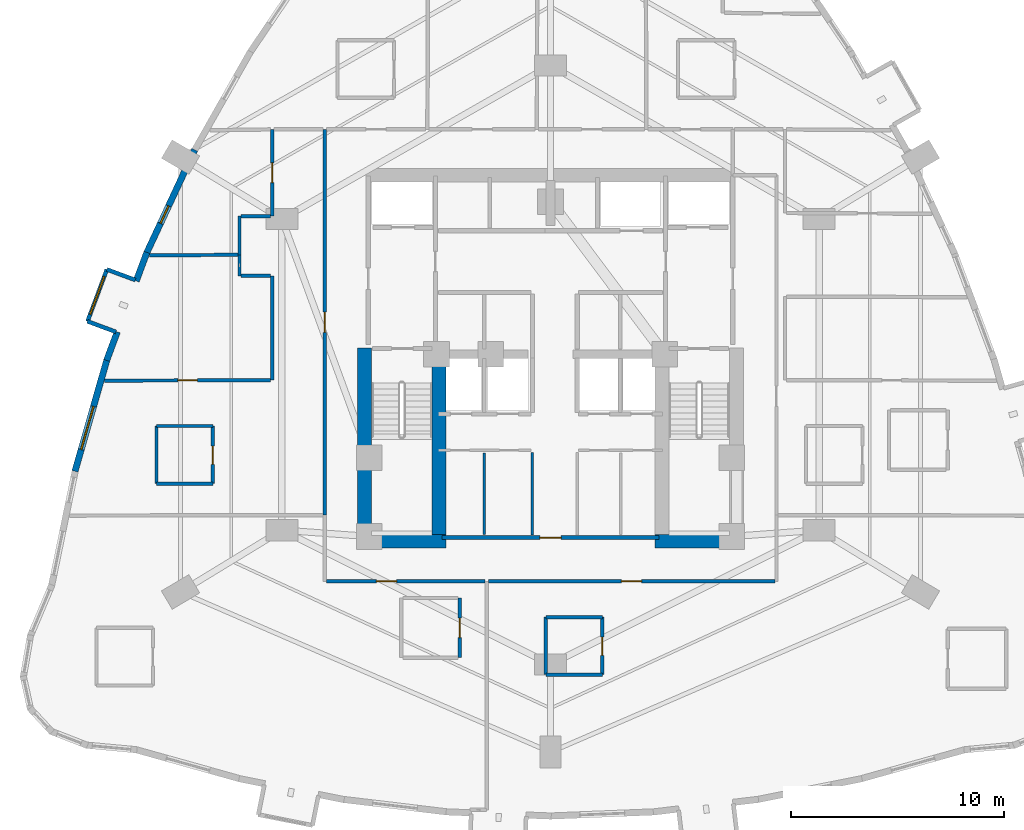
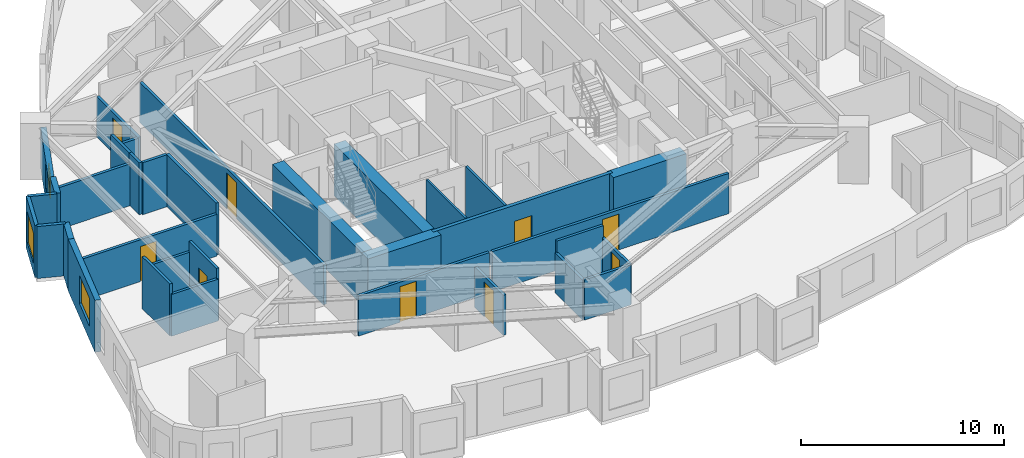
# One storey, part 7 of 13: 34 walls, 9 doors, 3 windows, 12 openings.
"""IFC4 building model written with IfcOpenShell, lengths in metres."""

from ifc_helpers import new_model, si_unit, direction, frame, frame_2d, origin, place, context, subcontext, project, spatial, rectangle, extrude, material, layer, layer_set, type_object, element, fill, save


model = new_model("IFC4")

# Units and contexts
model_context = context("Model", 3, precision=1e-05, world=origin(), true_north=direction((0.0, 1.0)))
body_context = subcontext(model_context, "Body", "Model", "MODEL_VIEW")
ifc_project = project(units=[si_unit("LENGTHUNIT", "METRE"), si_unit("AREAUNIT", "SQUARE_METRE"), si_unit("VOLUMEUNIT", "CUBIC_METRE"), si_unit("PLANEANGLEUNIT", "RADIAN"), si_unit("MASSUNIT", "GRAM", prefix="KILO")], contexts=[model_context])

# Site, building, storey
site_placement = place(None, origin())
site = spatial("IfcSite", under=ifc_project, at=site_placement, CompositionType="ELEMENT")
building_placement = place(site_placement, origin())
building = spatial("IfcBuilding", under=site, at=building_placement, Name="Miruveldt Soraemaru", CompositionType="ELEMENT")
storey_placement = place(building_placement, frame((0.0, 0.0, 46.199951171875)))
storey = spatial("IfcBuildingStorey", under=building, at=storey_placement, Name="L12", CompositionType="ELEMENT", Elevation=46.199951171875)

# Walls
ifc_material_1 = material(Name="White powder-coated aluminium EN AW-6060 T6", Category="aluminium")
ifc_layer_1 = layer(ifc_material_1, 0.18994140625, Name="White powder-coated aluminium EN AW-6060 T6", Category="aluminium")
ifc_layer_set_1 = layer_set([ifc_layer_1], Name="White powder-coated aluminium EN AW-6060 T6")
wall_type_1 = type_object("IfcWallType", Name="WALL-BAY-ALU190", PredefinedType="SOLIDWALL", material=ifc_layer_set_1)
wall_1_placement = place(storey_placement, frame((24.521728515625, 47.533203125, 0.0), z_axis=(0.0, 0.0, 1.0), x_axis=(-0.937129361406, 0.348982177182, 0.0)))
element("IfcWall", 1, at=wall_1_placement, inside=storey, type_object=wall_type_1, Name="L12 Bay Window Side Cheek 1L", PredefinedType="SOLIDWALL", context=body_context, shape_type="SweptSolid", body=[
    extrude(rectangle(XDim=1.425048828125, YDim=0.18994140625, at=frame_2d((0.71240234375, 0.0))), origin(), (0.0, 0.0, 1.0), 3.125),
])
wall_2_placement = place(storey_placement, frame((22.27880859375, 45.593994140625, 0.0), z_axis=(0.0, 0.0, 1.0), x_axis=(0.937108491365, -0.349038214831, 0.0)))
element("IfcWall", 2, at=wall_2_placement, inside=storey, type_object=wall_type_1, Name="L12 Bay Window Side Cheek 1R", PredefinedType="SOLIDWALL", context=body_context, shape_type="SweptSolid", body=[
    extrude(rectangle(XDim=1.4248046875, YDim=0.18994140625, at=frame_2d((0.71240234375, 0.0))), origin(), (0.0, 0.0, 1.0), 3.125),
])

# Wall, opening, window
wall_3_placement = place(storey_placement, frame((23.186279296875, 48.030517578125, 0.0), z_axis=(0.0, 0.0, 1.0), x_axis=(-0.349023333144, -0.937114034107, 0.0)))
wall_3 = element("IfcWall", 3, at=wall_3_placement, inside=storey, type_object=wall_type_1, Name="L12 Bay Window Front Frame 1", PredefinedType="SOLIDWALL", context=body_context, shape_type="SweptSolid", body=[
    extrude(rectangle(XDim=2.60009765625, YDim=0.18994140625, at=frame_2d((1.300048828125, 0.0))), origin(), (0.0, 0.0, 1.0), 3.125),
])
opening_1_placement = place(wall_3_placement, frame((0.35009765625, 0.0, 0.550048828125)))
opening_1 = element("IfcOpeningElement", 4, at=opening_1_placement, cuts=wall_3, Name="Opening WN-6", PredefinedType="OPENING", context=body_context, shape_type="SweptSolid", body=[
    extrude(rectangle(XDim=1.89990234375, YDim=1.85009765625, at=frame_2d((0.949951171875, 0.925048828125))), frame((0.0, 0.10498046875, 0.0), z_axis=(0.0, -1.0, 0.0), x_axis=(1.0, 0.0, 0.0)), (0.0, 0.0, 1.0), 0.2099609375),
])
ifc_material_2 = material(Name="Triple low-e insulated glazing", Category="glass")
window_type_1 = type_object("IfcWindowType", Name="WIN-BAYW-1900x1850", PartitioningType="SINGLE_PANEL", PredefinedType="WINDOW", material=ifc_material_2)
window_1_placement = place(opening_1_placement, origin())
window_1 = element("IfcWindow", 5, at=window_1_placement, inside=storey, type_object=window_type_1, Name="L12 Projecting Bay Window 1", OverallHeight=1.85009765625, OverallWidth=1.89990234375, PartitioningType="SINGLE_PANEL", PredefinedType="WINDOW", context=body_context, shape_type="SweptSolid", body=[
    extrude(rectangle(XDim=1.89990234375, YDim=1.85009765625, at=frame_2d((0.949951171875, 0.925048828125))), frame((0.0, 0.030029296875, 0.0), z_axis=(0.0, -1.0, 0.0), x_axis=(1.0, 0.0, 0.0)), (0.0, 0.0, 1.0), 0.06005859375),
])
fill(opening_1, window_1)

# Walls
ifc_material_3 = material(Name="Concrete C80/95 (80 MPa)", Category="concrete")
ifc_layer_2 = layer(ifc_material_3, 0.64990234375, Name="Concrete C80/95 (80 MPa)", Category="concrete")
ifc_layer_set_2 = layer_set([ifc_layer_2], Name="Concrete C80/95 (80 MPa)")
wall_type_2 = type_object("IfcWallType", Name="WALL-CW-650", PredefinedType="SHEAR", material=ifc_layer_set_2)
for number, where, z_axis, x_axis, name in (
    (6, (34.949951171875, 35.27490234375, 0.0), (0.0, 0.0, 1.0), (1.0, 0.0, 0.0), "L12 Central Core Shear Wall S1"),
    (7, (48.89990234375, 35.27490234375, 0.0), (0.0, 0.0, 1.0), (1.0, 0.0, 0.0), "L12 Central Core Shear Wall S2"),
):
    element("IfcWall", number, at=place(storey_placement, frame(where, z_axis=z_axis, x_axis=x_axis)), inside=storey, type_object=wall_type_2, Name=name, PredefinedType="SHEAR", context=body_context, shape_type="SweptSolid", body=[
        extrude(rectangle(XDim=4.150146484375, YDim=0.64990234375, at=frame_2d((2.0751953125, 0.0))), origin(), (0.0, 0.0, 1.0), 3.125),
    ])
wall_4_placement = place(storey_placement, frame((35.27490234375, 34.949951171875, 0.0), z_axis=(0.0, 0.0, 1.0), x_axis=(0.0, 1.0, 0.0)))
element("IfcWall", 8, at=wall_4_placement, inside=storey, type_object=wall_type_2, Name="L12 Central Core Shear Wall W1", PredefinedType="SHEAR", context=body_context, shape_type="SweptSolid", body=[
    extrude(rectangle(XDim=9.400146484375, YDim=0.64990234375, at=frame_2d((4.7001953125, 0.0))), origin(), (0.0, 0.0, 1.0), 3.125),
])
wall_5_placement = place(storey_placement, frame((38.77490234375, 35.39990234375, 0.0), z_axis=(0.0, 0.0, 1.0), x_axis=(0.0, 1.0, 0.0)))
element("IfcWall", 9, at=wall_5_placement, inside=storey, type_object=wall_type_2, Name="L12 Central Core Shear Wall SW-INT", PredefinedType="SHEAR", context=body_context, shape_type="SweptSolid", body=[
    extrude(rectangle(XDim=8.9501953125, YDim=0.64990234375, at=frame_2d((4.47509765625, 0.0))), origin(), (0.0, 0.0, 1.0), 3.125),
])

# Wall, opening, window
ifc_material_4 = material(Name="Precast concrete C45/55 (45 MPa)", Category="concrete")
ifc_layer_3 = layer(ifc_material_4, 0.300048828125, Name="Precast concrete C45/55 (45 MPa)", Category="concrete")
ifc_layer_set_3 = layer_set([ifc_layer_3], Name="Precast concrete C45/55 (45 MPa)")
wall_type_3 = type_object("IfcWallType", Name="WALL-EXT-PC300", PredefinedType="SOLIDWALL", material=ifc_layer_set_3)
wall_6_placement = place(storey_placement, frame((27.30712890625, 53.639892578125, 0.0), z_axis=(0.0, 0.0, 1.0), x_axis=(-0.422286297116, -0.90646251068, 0.0)))
wall_6 = element("IfcWall", 10, at=wall_6_placement, inside=storey, type_object=wall_type_3, Name="L12 Precast Concrete Facade Wall 11", PredefinedType="SOLIDWALL", context=body_context, shape_type="SweptSolid", body=[
    extrude(rectangle(XDim=5.376708984375, YDim=0.300048828125, at=frame_2d((2.6884765625, 0.0))), origin(), (0.0, 0.0, 1.0), 2.4130859375),
])
opening_2_placement = place(wall_6_placement, frame((2.90087890625, 0.0, 0.7529296875)))
opening_2 = element("IfcOpeningElement", 11, at=opening_2_placement, cuts=wall_6, Name="Opening WN-7", PredefinedType="OPENING", context=body_context, shape_type="SweptSolid", body=[
    extrude(rectangle(XDim=0.89990234375, YDim=1.5, at=frame_2d((0.449951171875, 0.75))), frame((0.0, 0.16015625, 0.0), z_axis=(0.0, -1.0, 0.0), x_axis=(1.0, 0.0, 0.0)), (0.0, 0.0, 1.0), 0.320068359375),
])
window_type_2 = type_object("IfcWindowType", Name="WIN-PUNCH-900x1500", PartitioningType="SINGLE_PANEL", PredefinedType="WINDOW", material=ifc_material_2)
window_2_placement = place(opening_2_placement, origin())
window_2 = element("IfcWindow", 12, at=window_2_placement, inside=storey, type_object=window_type_2, Name="L12 Punched Triple-Glazed Window 11.1", OverallHeight=1.5, OverallWidth=0.89990234375, PartitioningType="SINGLE_PANEL", PredefinedType="WINDOW", context=body_context, shape_type="SweptSolid", body=[
    extrude(rectangle(XDim=0.89990234375, YDim=1.5, at=frame_2d((0.449951171875, 0.75))), frame((0.0, 0.030029296875, 0.0), z_axis=(0.0, -1.0, 0.0), x_axis=(1.0, 0.0, 0.0)), (0.0, 0.0, 1.0), 0.06005859375),
])
fill(opening_2, window_2)

# Walls
wall_7_placement = place(storey_placement, frame((25.063720703125, 48.830810546875, 0.0), z_axis=(0.0, 0.0, 1.0), x_axis=(-0.34905337409, -0.937102844962, 0.0)))
element("IfcWall", 13, at=wall_7_placement, inside=storey, type_object=wall_type_3, Name="L12 Precast Pier Wall 12A", PredefinedType="SOLIDWALL", context=body_context, shape_type="SweptSolid", body=[
    extrude(rectangle(XDim=1.435302734375, YDim=0.300048828125, at=frame_2d((0.7177734375, 0.0))), origin(), (0.0, 0.0, 1.0), 3.125),
])
wall_8_placement = place(storey_placement, frame((23.676025390625, 45.10546875, 0.0), z_axis=(0.0, 0.0, 1.0), x_axis=(-0.348903981976, -0.937158477186, 0.0)))
element("IfcWall", 14, at=wall_8_placement, inside=storey, type_object=wall_type_3, Name="L12 Precast Pier Wall 12B", PredefinedType="SOLIDWALL", context=body_context, shape_type="SweptSolid", body=[
    extrude(rectangle(XDim=1.43505859375, YDim=0.300048828125, at=frame_2d((0.717529296875, 0.0))), origin(), (0.0, 0.0, 1.0), 3.125),
])

# Wall, opening, window
wall_9_placement = place(storey_placement, frame((23.197021484375, 43.8271484375, 0.0), z_axis=(0.0, 0.0, 1.0), x_axis=(-0.274962478906, -0.961454957444, 0.0)))
wall_9 = element("IfcWall", 15, at=wall_9_placement, inside=storey, type_object=wall_type_3, Name="L12 Precast Concrete Facade Wall 13", PredefinedType="SOLIDWALL", context=body_context, shape_type="SweptSolid", body=[
    extrude(rectangle(XDim=5.4775390625, YDim=0.300048828125, at=frame_2d((2.73876953125, 0.0))), origin(), (0.0, 0.0, 1.0), 3.125),
])
opening_3_placement = place(wall_9_placement, frame((2.31396484375, 0.0, 0.800048828125)))
opening_3 = element("IfcOpeningElement", 16, at=opening_3_placement, cuts=wall_9, Name="Opening WN-1", PredefinedType="OPENING", context=body_context, shape_type="SweptSolid", body=[
    extrude(rectangle(XDim=2.10009765625, YDim=1.699951171875, at=frame_2d((1.050048828125, 0.85009765625))), frame((0.0, 0.16015625, 0.0), z_axis=(0.0, -1.0, 0.0), x_axis=(1.0, 0.0, 0.0)), (0.0, 0.0, 1.0), 0.320068359375),
])
window_type_3 = type_object("IfcWindowType", Name="WIN-PUNCH-2100x1700", PartitioningType="SINGLE_PANEL", PredefinedType="WINDOW", material=ifc_material_2)
window_3_placement = place(opening_3_placement, origin())
window_3 = element("IfcWindow", 17, at=window_3_placement, inside=storey, type_object=window_type_3, Name="L12 Punched Triple-Glazed Window 13.1", OverallHeight=1.699951171875, OverallWidth=2.10009765625, PartitioningType="SINGLE_PANEL", PredefinedType="WINDOW", context=body_context, shape_type="SweptSolid", body=[
    extrude(rectangle(XDim=2.10009765625, YDim=1.699951171875, at=frame_2d((1.050048828125, 0.85009765625))), frame((0.0, 0.030029296875, 0.0), z_axis=(0.0, -1.0, 0.0), x_axis=(1.0, 0.0, 0.0)), (0.0, 0.0, 1.0), 0.06005859375),
])
fill(opening_3, window_3)

# Walls
ifc_material_5 = material(Name="Gypsum plasterboard lining", Category="gypsum")
ifc_layer_4 = layer(ifc_material_5, 0.1201171875, Name="Gypsum plasterboard lining", Category="gypsum")
ifc_layer_set_4 = layer_set([ifc_layer_4], Name="Gypsum plasterboard lining")
wall_type_4 = type_object("IfcWallType", Name="WALL-INT-P120", PredefinedType="PARTITIONING", material=ifc_layer_set_4)
wall_10_placement = place(storey_placement, frame((43.14990234375, 35.580078125, 0.0), z_axis=(0.0, 0.0, 1.0), x_axis=(0.0, 1.0, 0.0)))
element("IfcWall", 18, at=wall_10_placement, inside=storey, type_object=wall_type_4, Name="L12 Core Compartment Wall SP-WS", PredefinedType="PARTITIONING", context=body_context, shape_type="SweptSolid", body=[
    extrude(rectangle(XDim=3.869873046875, YDim=0.1201171875, at=frame_2d((1.93505859375, 0.0))), origin(), (0.0, 0.0, 1.0), 3.125),
])
wall_11_placement = place(storey_placement, frame((40.89990234375, 35.60009765625, 0.0), z_axis=(0.0, 0.0, 1.0), x_axis=(0.0, 1.0, 0.0)))
element("IfcWall", 19, at=wall_11_placement, inside=storey, type_object=wall_type_4, Name="L12 Core Compartment Wall CW2-V", PredefinedType="PARTITIONING", context=body_context, shape_type="SweptSolid", body=[
    extrude(rectangle(XDim=3.81982421875, YDim=0.1201171875, at=frame_2d((1.909912109375, 0.0))), origin(), (0.0, 0.0, 1.0), 3.125),
])

# Wall, opening, door
ifc_layer_5 = layer(ifc_material_5, 0.14990234375, Name="Gypsum plasterboard lining", Category="gypsum")
ifc_layer_set_5 = layer_set([ifc_layer_5], Name="Gypsum plasterboard lining")
wall_type_5 = type_object("IfcWallType", Name="WALL-INT-PLUMB", PredefinedType="PLUMBINGWALL", material=ifc_layer_set_5)
wall_12_placement = place(storey_placement, frame((28.158935546875, 37.97998046875, 0.0), z_axis=(0.0, 0.0, 1.0), x_axis=(0.0, 1.0, 0.0)))
wall_12 = element("IfcWall", 20, at=wall_12_placement, inside=storey, type_object=wall_type_5, Name="L12 Partition Wall 41", PredefinedType="PLUMBINGWALL", context=body_context, shape_type="SweptSolid", body=[
    extrude(rectangle(XDim=2.699951171875, YDim=0.14990234375, at=frame_2d((1.35009765625, 0.0))), origin(), (0.0, 0.0, 1.0), 3.125),
])
opening_4_placement = place(wall_12_placement, frame((0.909912109375, 0.0, 0.0)))
opening_4 = element("IfcOpeningElement", 21, at=opening_4_placement, cuts=wall_12, Name="Opening FD3", PredefinedType="OPENING", context=body_context, shape_type="SweptSolid", body=[
    extrude(rectangle(XDim=0.85009765625, YDim=2.10009765625, at=frame_2d((0.425048828125, 1.050048828125))), frame((0.0, 0.0849609375, 0.0), z_axis=(0.0, -1.0, 0.0), x_axis=(1.0, 0.0, 0.0)), (0.0, 0.0, 1.0), 0.169921875),
])
ifc_material_6 = material(Name="Anodised aluminium EN AW-6063 T6", Category="aluminium")
door_type_1 = type_object("IfcDoorType", Name="DOOR-FD3-850", OperationType="NOTDEFINED", PredefinedType="DOOR", material=ifc_material_6)
door_1_placement = place(opening_4_placement, origin())
door_1 = element("IfcDoor", 22, at=door_1_placement, inside=storey, type_object=door_type_1, Name="L12 Unit 1205 BTH Door", OperationType="SINGLE_SWING_RIGHT", OverallHeight=2.10009765625, OverallWidth=0.85009765625, PredefinedType="DOOR", context=body_context, shape_type="SweptSolid", body=[
    extrude(rectangle(XDim=0.85009765625, YDim=2.10009765625, at=frame_2d((0.425048828125, 1.050048828125))), frame((0.0, 0.02490234375, 0.0), z_axis=(0.0, -1.0, 0.0), x_axis=(1.0, 0.0, 0.0)), (0.0, 0.0, 1.0), 0.050048828125),
])
fill(opening_4, door_1)

wall_13_placement = place(storey_placement, frame((46.429931640625, 29.01611328125, 0.0), z_axis=(0.0, 0.0, 1.0), x_axis=(0.0, 1.0, 0.0)))
wall_13 = element("IfcWall", 23, at=wall_13_placement, inside=storey, type_object=wall_type_5, Name="L12 Partition Wall 77", PredefinedType="PLUMBINGWALL", context=body_context, shape_type="SweptSolid", body=[
    extrude(rectangle(XDim=2.699951171875, YDim=0.14990234375, at=frame_2d((1.35009765625, 0.0))), origin(), (0.0, 0.0, 1.0), 2.4130859375),
])
opening_5_placement = place(wall_13_placement, frame((0.909912109375, 0.0, 0.0)))
opening_5 = element("IfcOpeningElement", 24, at=opening_5_placement, cuts=wall_13, Name="Opening FD3", PredefinedType="OPENING", context=body_context, shape_type="SweptSolid", body=[
    extrude(rectangle(XDim=0.85009765625, YDim=2.10009765625, at=frame_2d((0.425048828125, 1.050048828125))), frame((0.0, 0.0849609375, 0.0), z_axis=(0.0, -1.0, 0.0), x_axis=(1.0, 0.0, 0.0)), (0.0, 0.0, 1.0), 0.169921875),
])
door_2_placement = place(opening_5_placement, origin())
door_2 = element("IfcDoor", 25, at=door_2_placement, inside=storey, type_object=door_type_1, Name="L12 Unit CL08 BTH Door", OperationType="SINGLE_SWING_RIGHT", OverallHeight=2.10009765625, OverallWidth=0.85009765625, PredefinedType="DOOR", context=body_context, shape_type="SweptSolid", body=[
    extrude(rectangle(XDim=0.85009765625, YDim=2.10009765625, at=frame_2d((0.425048828125, 1.050048828125))), frame((0.0, 0.02490234375, 0.0), z_axis=(0.0, -1.0, 0.0), x_axis=(1.0, 0.0, 0.0)), (0.0, 0.0, 1.0), 0.050048828125),
])
fill(opening_5, door_2)

# Walls
wall_14_placement = place(storey_placement, frame((25.509033203125, 40.679931640625, 0.0), z_axis=(0.0, 0.0, 1.0), x_axis=(0.0, -1.0, 0.0)))
element("IfcWall", 26, at=wall_14_placement, inside=storey, type_object=wall_type_5, Name="L12 Partition Wall 43", PredefinedType="PLUMBINGWALL", context=body_context, shape_type="SweptSolid", body=[
    extrude(rectangle(XDim=2.699951171875, YDim=0.14990234375, at=frame_2d((1.35009765625, 0.0))), origin(), (0.0, 0.0, 1.0), 3.125),
])
wall_15_placement = place(storey_placement, frame((43.780029296875, 31.716064453125, 0.0), z_axis=(0.0, 0.0, 1.0), x_axis=(0.0, -1.0, 0.0)))
element("IfcWall", 27, at=wall_15_placement, inside=storey, type_object=wall_type_5, Name="L12 Partition Wall 79", PredefinedType="PLUMBINGWALL", context=body_context, shape_type="SweptSolid", body=[
    extrude(rectangle(XDim=2.699951171875, YDim=0.14990234375, at=frame_2d((1.35009765625, 0.0))), origin(), (0.0, 0.0, 1.0), 2.4130859375),
])
for number, where, z_axis, x_axis, name in (
    (28, (28.158935546875, 40.679931640625, 0.0), (0.0, 0.0, 1.0), (-1.0, 0.0, 0.0), "L12 Partition Wall 42"),
    (29, (25.509033203125, 37.97998046875, 0.0), (0.0, 0.0, 1.0), (1.0, 0.0, 0.0), "L12 Partition Wall 44"),
):
    element("IfcWall", number, at=place(storey_placement, frame(where, z_axis=z_axis, x_axis=x_axis)), inside=storey, type_object=wall_type_5, Name=name, PredefinedType="PLUMBINGWALL", context=body_context, shape_type="SweptSolid", body=[
        extrude(rectangle(XDim=2.64990234375, YDim=0.14990234375, at=frame_2d((1.324951171875, 0.0))), origin(), (0.0, 0.0, 1.0), 2.512939453125),
    ])
wall_16_placement = place(storey_placement, frame((46.429931640625, 31.716064453125, 0.0), z_axis=(0.0, 0.0, 1.0), x_axis=(-1.0, 0.0, 0.0)))
element("IfcWall", 30, at=wall_16_placement, inside=storey, type_object=wall_type_5, Name="L12 Partition Wall 78", PredefinedType="PLUMBINGWALL", context=body_context, shape_type="SweptSolid", body=[
    extrude(rectangle(XDim=2.64990234375, YDim=0.14990234375, at=frame_2d((1.324951171875, 0.0))), origin(), (0.0, 0.0, 1.0), 3.125),
])
wall_17_placement = place(storey_placement, frame((43.780029296875, 29.01611328125, 0.0), z_axis=(0.0, 0.0, 1.0), x_axis=(1.0, 0.0, 0.0)))
element("IfcWall", 31, at=wall_17_placement, inside=storey, type_object=wall_type_5, Name="L12 Partition Wall 80", PredefinedType="PLUMBINGWALL", context=body_context, shape_type="SweptSolid", body=[
    extrude(rectangle(XDim=2.64990234375, YDim=0.14990234375, at=frame_2d((1.324951171875, 0.0))), origin(), (0.0, 0.0, 1.0), 2.4130859375),
])

# Wall, opening, door
ifc_material_7 = material(Name="Concrete C40/50 (40 MPa)", Category="concrete")
ifc_layer_6 = layer(ifc_material_7, 0.159912109375, Name="Concrete C40/50 (40 MPa)", Category="concrete")
ifc_layer_set_6 = layer_set([ifc_layer_6], Name="Concrete C40/50 (40 MPa)")
wall_type_6 = type_object("IfcWallType", Name="WALL-INT-RC160", PredefinedType="SOLIDWALL", material=ifc_layer_set_6)
wall_18_placement = place(storey_placement, frame((33.39990234375, 54.596923828125, 0.0), z_axis=(0.0, 0.0, 1.0), x_axis=(0.0, -1.0, 0.0)))
wall_18 = element("IfcWall", 32, at=wall_18_placement, inside=storey, type_object=wall_type_6, Name="L12 Partition Wall 5", PredefinedType="SOLIDWALL", context=body_context, shape_type="SweptSolid", body=[
    extrude(rectangle(XDim=18.093994140625, YDim=0.159912109375, at=frame_2d((9.046875, 0.0))), origin(), (0.0, 0.0, 1.0), 2.4130859375),
])
opening_6_placement = place(wall_18_placement, frame((8.572021484375, 0.0, 0.0)))
opening_6 = element("IfcOpeningElement", 33, at=opening_6_placement, cuts=wall_18, Name="Opening FD2", PredefinedType="OPENING", context=body_context, shape_type="SweptSolid", body=[
    extrude(rectangle(XDim=0.949951171875, YDim=2.14990234375, at=frame_2d((0.47509765625, 1.074951171875))), frame((0.0, 0.08984375, 0.0), z_axis=(0.0, -1.0, 0.0), x_axis=(1.0, 0.0, 0.0)), (0.0, 0.0, 1.0), 0.179931640625),
])
door_type_2 = type_object("IfcDoorType", Name="DOOR-FD2-950", OperationType="NOTDEFINED", PredefinedType="DOOR", material=ifc_material_6)
door_3_placement = place(opening_6_placement, origin())
door_3 = element("IfcDoor", 34, at=door_3_placement, inside=storey, type_object=door_type_2, Name="L12 Unit 1205 Entrance Fire Door", OperationType="SINGLE_SWING_LEFT", OverallHeight=2.14990234375, OverallWidth=0.949951171875, PredefinedType="DOOR", context=body_context, shape_type="SweptSolid", body=[
    extrude(rectangle(XDim=0.949951171875, YDim=2.14990234375, at=frame_2d((0.47509765625, 1.074951171875))), frame((0.0, 0.02490234375, 0.0), z_axis=(0.0, -1.0, 0.0), x_axis=(1.0, 0.0, 0.0)), (0.0, 0.0, 1.0), 0.050048828125),
])
fill(opening_6, door_3)

wall_19_placement = place(storey_placement, frame((41.080078125, 33.39990234375, 0.0), z_axis=(0.0, 0.0, 1.0), x_axis=(1.0, 0.0, 0.0)))
wall_19 = element("IfcWall", 35, at=wall_19_placement, inside=storey, type_object=wall_type_6, Name="L12 Partition Wall 11", PredefinedType="SOLIDWALL", context=body_context, shape_type="SweptSolid", body=[
    extrude(rectangle(XDim=13.43994140625, YDim=0.159912109375, at=frame_2d((6.719970703125, 0.0))), origin(), (0.0, 0.0, 1.0), 2.4130859375),
])
opening_7_placement = place(wall_19_placement, frame((6.2451171875, 0.0, 0.0)))
opening_7 = element("IfcOpeningElement", 36, at=opening_7_placement, cuts=wall_19, Name="Opening FD2", PredefinedType="OPENING", context=body_context, shape_type="SweptSolid", body=[
    extrude(rectangle(XDim=0.949951171875, YDim=2.14990234375, at=frame_2d((0.47509765625, 1.074951171875))), frame((0.0, 0.08984375, 0.0), z_axis=(0.0, -1.0, 0.0), x_axis=(1.0, 0.0, 0.0)), (0.0, 0.0, 1.0), 0.179931640625),
])
door_4_placement = place(opening_7_placement, origin())
door_4 = element("IfcDoor", 37, at=door_4_placement, inside=storey, type_object=door_type_2, Name="L12 Unit CL08 Entrance Fire Door", OperationType="SINGLE_SWING_LEFT", OverallHeight=2.14990234375, OverallWidth=0.949951171875, PredefinedType="DOOR", context=body_context, shape_type="SweptSolid", body=[
    extrude(rectangle(XDim=0.949951171875, YDim=2.14990234375, at=frame_2d((0.47509765625, 1.074951171875))), frame((0.0, 0.02490234375, 0.0), z_axis=(0.0, -1.0, 0.0), x_axis=(1.0, 0.0, 0.0)), (0.0, 0.0, 1.0), 0.050048828125),
])
fill(opening_7, door_4)

wall_20_placement = place(storey_placement, frame((30.8701171875, 42.8349609375, 0.0), z_axis=(0.0, 0.0, 1.0), x_axis=(-0.999995663106, -0.002945126181, 0.0)))
wall_20 = element("IfcWall", 38, at=wall_20_placement, inside=storey, type_object=wall_type_6, Name="L12 Partition Wall 48", PredefinedType="SOLIDWALL", context=body_context, shape_type="SweptSolid", body=[
    extrude(rectangle(XDim=7.792236328125, YDim=0.159912109375, at=frame_2d((3.89599609375, 0.0))), origin(), (0.0, 0.0, 1.0), 2.512939453125),
])
opening_8_placement = place(wall_20_placement, frame((3.43603515625, 0.0, 0.0)))
opening_8 = element("IfcOpeningElement", 39, at=opening_8_placement, cuts=wall_20, Name="Opening D3A", PredefinedType="OPENING", context=body_context, shape_type="SweptSolid", body=[
    extrude(rectangle(XDim=0.919921875, YDim=2.10009765625, at=frame_2d((0.4599609375, 1.050048828125))), frame((0.0, 0.08984375, 0.0), z_axis=(0.0, -1.0, 0.0), x_axis=(1.0, 0.0, 0.0)), (0.0, 0.0, 1.0), 0.179931640625),
])
door_type_3 = type_object("IfcDoorType", Name="DOOR-INT-920", OperationType="NOTDEFINED", PredefinedType="DOOR", material=ifc_material_6)
door_5_placement = place(opening_8_placement, origin())
door_5 = element("IfcDoor", 40, at=door_5_placement, inside=storey, type_object=door_type_3, Name="L12 Unit 1205 BD1 Door", OperationType="SINGLE_SWING_LEFT", OverallHeight=2.10009765625, OverallWidth=0.919921875, PredefinedType="DOOR", context=body_context, shape_type="SweptSolid", body=[
    extrude(rectangle(XDim=0.919921875, YDim=2.10009765625, at=frame_2d((0.4599609375, 1.050048828125))), frame((0.0, 0.02490234375, 0.0), z_axis=(0.0, -1.0, 0.0), x_axis=(1.0, 0.0, 0.0)), (0.0, 0.0, 1.0), 0.050048828125),
])
fill(opening_8, door_5)

wall_21_placement = place(storey_placement, frame((33.47998046875, 33.39990234375, 0.0), z_axis=(0.0, 0.0, 1.0), x_axis=(1.0, 0.0, 0.0)))
wall_21 = element("IfcWall", 41, at=wall_21_placement, inside=storey, type_object=wall_type_6, Name="L12 Partition Wall 10", PredefinedType="SOLIDWALL", context=body_context, shape_type="SweptSolid", body=[
    extrude(rectangle(XDim=7.43994140625, YDim=0.159912109375, at=frame_2d((3.719970703125, 0.0))), origin(), (0.0, 0.0, 1.0), 2.4130859375),
])
opening_9_placement = place(wall_21_placement, frame((2.344970703125, 0.0, 0.0)))
opening_9 = element("IfcOpeningElement", 42, at=opening_9_placement, cuts=wall_21, Name="Opening FD2", PredefinedType="OPENING", context=body_context, shape_type="SweptSolid", body=[
    extrude(rectangle(XDim=0.949951171875, YDim=2.14990234375, at=frame_2d((0.47509765625, 1.074951171875))), frame((0.0, 0.08984375, 0.0), z_axis=(0.0, -1.0, 0.0), x_axis=(1.0, 0.0, 0.0)), (0.0, 0.0, 1.0), 0.179931640625),
])
door_6_placement = place(opening_9_placement, origin())
door_6 = element("IfcDoor", 43, at=door_6_placement, inside=storey, type_object=door_type_2, Name="L12 Unit CL07 Entrance Fire Door", OperationType="SINGLE_SWING_RIGHT", OverallHeight=2.14990234375, OverallWidth=0.949951171875, PredefinedType="DOOR", context=body_context, shape_type="SweptSolid", body=[
    extrude(rectangle(XDim=0.949951171875, YDim=2.14990234375, at=frame_2d((0.47509765625, 1.074951171875))), frame((0.0, 0.02490234375, 0.0), z_axis=(0.0, -1.0, 0.0), x_axis=(1.0, 0.0, 0.0)), (0.0, 0.0, 1.0), 0.050048828125),
])
fill(opening_9, door_6)

wall_22_placement = place(storey_placement, frame((30.949951171875, 54.60009765625, 0.0), z_axis=(0.0, 0.0, 1.0), x_axis=(0.0, -1.0, 0.0)))
wall_22 = element("IfcWall", 44, at=wall_22_placement, inside=storey, type_object=wall_type_6, Name="L12 Partition Wall 49", PredefinedType="SOLIDWALL", context=body_context, shape_type="SweptSolid", body=[
    extrude(rectangle(XDim=4.070068359375, YDim=0.159912109375, at=frame_2d((2.03515625, 0.0))), origin(), (0.0, 0.0, 1.0), 2.4130859375),
])
opening_10_placement = place(wall_22_placement, frame((1.574951171875, 0.0, 0.0)))
opening_10 = element("IfcOpeningElement", 45, at=opening_10_placement, cuts=wall_22, Name="Opening D3A", PredefinedType="OPENING", context=body_context, shape_type="SweptSolid", body=[
    extrude(rectangle(XDim=0.919921875, YDim=2.10009765625, at=frame_2d((0.4599609375, 1.050048828125))), frame((0.0, 0.08984375, 0.0), z_axis=(0.0, -1.0, 0.0), x_axis=(1.0, 0.0, 0.0)), (0.0, 0.0, 1.0), 0.179931640625),
])
door_7_placement = place(opening_10_placement, origin())
door_7 = element("IfcDoor", 46, at=door_7_placement, inside=storey, type_object=door_type_3, Name="L12 Unit 1205 BD2 Door", OperationType="SINGLE_SWING_RIGHT", OverallHeight=2.10009765625, OverallWidth=0.919921875, PredefinedType="DOOR", context=body_context, shape_type="SweptSolid", body=[
    extrude(rectangle(XDim=0.919921875, YDim=2.10009765625, at=frame_2d((0.4599609375, 1.050048828125))), frame((0.0, 0.02490234375, 0.0), z_axis=(0.0, -1.0, 0.0), x_axis=(1.0, 0.0, 0.0)), (0.0, 0.0, 1.0), 0.050048828125),
])
fill(opening_10, door_7)

wall_23_placement = place(storey_placement, frame((39.74609375, 29.81591796875, 0.0), z_axis=(0.0, 0.0, 1.0), x_axis=(0.0, 1.0, 0.0)))
wall_23 = element("IfcWall", 47, at=wall_23_placement, inside=storey, type_object=wall_type_6, Name="L12 Partition Wall 72", PredefinedType="SOLIDWALL", context=body_context, shape_type="SweptSolid", body=[
    extrude(rectangle(XDim=2.800048828125, YDim=0.159912109375, at=frame_2d((1.39990234375, 0.0))), origin(), (0.0, 0.0, 1.0), 2.4130859375),
])
opening_11_placement = place(wall_23_placement, frame((0.93994140625, 0.0, 0.0)))
opening_11 = element("IfcOpeningElement", 48, at=opening_11_placement, cuts=wall_23, Name="Opening D3A", PredefinedType="OPENING", context=body_context, shape_type="SweptSolid", body=[
    extrude(rectangle(XDim=0.919921875, YDim=2.10009765625, at=frame_2d((0.4599609375, 1.050048828125))), frame((0.0, 0.08984375, 0.0), z_axis=(0.0, -1.0, 0.0), x_axis=(1.0, 0.0, 0.0)), (0.0, 0.0, 1.0), 0.179931640625),
])
door_8_placement = place(opening_11_placement, origin())
door_8 = element("IfcDoor", 49, at=door_8_placement, inside=storey, type_object=door_type_3, Name="L12 Unit CL07 KIT Door", OperationType="SINGLE_SWING_RIGHT", OverallHeight=2.10009765625, OverallWidth=0.919921875, PredefinedType="DOOR", context=body_context, shape_type="SweptSolid", body=[
    extrude(rectangle(XDim=0.919921875, YDim=2.10009765625, at=frame_2d((0.4599609375, 1.050048828125))), frame((0.0, 0.02490234375, 0.0), z_axis=(0.0, -1.0, 0.0), x_axis=(1.0, 0.0, 0.0)), (0.0, 0.0, 1.0), 0.050048828125),
])
fill(opening_11, door_8)

# Walls
wall_24_placement = place(storey_placement, frame((30.949951171875, 47.72998046875, 0.0), z_axis=(0.0, 0.0, 1.0), x_axis=(0.0, -1.0, 0.0)))
element("IfcWall", 50, at=wall_24_placement, inside=storey, type_object=wall_type_6, Name="L12 Partition Wall 47", PredefinedType="SOLIDWALL", context=body_context, shape_type="SweptSolid", body=[
    extrude(rectangle(XDim=4.89501953125, YDim=0.159912109375, at=frame_2d((2.447509765625, 0.0))), origin(), (0.0, 0.0, 1.0), 3.125),
])
wall_25_placement = place(storey_placement, frame((29.3291015625, 48.717041015625, 0.0), z_axis=(0.0, 0.0, 1.0), x_axis=(-0.999975402613, -0.007013855529, 0.0)))
element("IfcWall", 51, at=wall_25_placement, inside=storey, type_object=wall_type_6, Name="L12 Partition Wall 53", PredefinedType="SOLIDWALL", context=body_context, shape_type="SweptSolid", body=[
    extrude(rectangle(XDim=4.14208984375, YDim=0.159912109375, at=frame_2d((2.071044921875, 0.0))), origin(), (0.0, 0.0, 1.0), 2.512939453125),
])
wall_26_placement = place(storey_placement, frame((29.408935546875, 50.530029296875, 0.0), z_axis=(0.0, 0.0, 1.0), x_axis=(0.0, -1.0, 0.0)))
element("IfcWall", 52, at=wall_26_placement, inside=storey, type_object=wall_type_6, Name="L12 Partition Wall 51", PredefinedType="SOLIDWALL", context=body_context, shape_type="SweptSolid", body=[
    extrude(rectangle(XDim=1.81201171875, YDim=0.159912109375, at=frame_2d((0.906005859375, 0.0))), origin(), (0.0, 0.0, 1.0), 3.125),
])
wall_27_placement = place(storey_placement, frame((29.489013671875, 47.72998046875, 0.0), z_axis=(0.0, 0.0, 1.0), x_axis=(1.0, 0.0, 0.0)))
element("IfcWall", 53, at=wall_27_placement, inside=storey, type_object=wall_type_6, Name="L12 Partition Wall 46", PredefinedType="SOLIDWALL", context=body_context, shape_type="SweptSolid", body=[
    extrude(rectangle(XDim=1.381103515625, YDim=0.159912109375, at=frame_2d((0.6904296875, 0.0))), origin(), (0.0, 0.0, 1.0), 3.125),
])
wall_28_placement = place(storey_placement, frame((30.8701171875, 50.530029296875, 0.0), z_axis=(0.0, 0.0, 1.0), x_axis=(-1.0, 0.0, 0.0)))
element("IfcWall", 54, at=wall_28_placement, inside=storey, type_object=wall_type_6, Name="L12 Partition Wall 50", PredefinedType="SOLIDWALL", context=body_context, shape_type="SweptSolid", body=[
    extrude(rectangle(XDim=1.381103515625, YDim=0.159912109375, at=frame_2d((0.6904296875, 0.0))), origin(), (0.0, 0.0, 1.0), 2.4130859375),
])
wall_29_placement = place(storey_placement, frame((29.408935546875, 48.718017578125, 0.0), z_axis=(0.0, 0.0, 1.0), x_axis=(0.0, -1.0, 0.0)))
element("IfcWall", 55, at=wall_29_placement, inside=storey, type_object=wall_type_6, Name="L12 Partition Wall 45", PredefinedType="SOLIDWALL", context=body_context, shape_type="SweptSolid", body=[
    extrude(rectangle(XDim=0.988037109375, YDim=0.159912109375, at=frame_2d((0.494140625, 0.0))), origin(), (0.0, 0.0, 1.0), 3.125),
])

# Wall, opening, door
ifc_layer_7 = layer(ifc_material_7, 0.199951171875, Name="Concrete C40/50 (40 MPa)", Category="concrete")
ifc_layer_set_7 = layer_set([ifc_layer_7], Name="Concrete C40/50 (40 MPa)")
wall_type_7 = type_object("IfcWallType", Name="WALL-INT-RC200", PredefinedType="SOLIDWALL", material=ifc_layer_set_7)
wall_30_placement = place(storey_placement, frame((38.89990234375, 35.449951171875, 0.0), z_axis=(0.0, 0.0, 1.0), x_axis=(1.0, 0.0, 0.0)))
wall_30 = element("IfcWall", 56, at=wall_30_placement, inside=storey, type_object=wall_type_7, Name="L12 Core Compartment Wall CS-S", PredefinedType="SOLIDWALL", context=body_context, shape_type="SweptSolid", body=[
    extrude(rectangle(XDim=10.2001953125, YDim=0.199951171875, at=frame_2d((5.10009765625, 0.0))), origin(), (0.0, 0.0, 1.0), 3.125),
])
opening_12_placement = place(wall_30_placement, frame((4.60009765625, 0.0, 0.0)))
opening_12 = element("IfcOpeningElement", 57, at=opening_12_placement, cuts=wall_30, Name="Opening FD1", PredefinedType="OPENING", context=body_context, shape_type="SweptSolid", body=[
    extrude(rectangle(XDim=1.0, YDim=2.14990234375, at=frame_2d((0.5, 1.074951171875))), frame((0.0, 0.10986328125, 0.0), z_axis=(0.0, -1.0, 0.0), x_axis=(1.0, 0.0, 0.0)), (0.0, 0.0, 1.0), 0.219970703125),
])
door_type_4 = type_object("IfcDoorType", Name="DOOR-FD1-1000", OperationType="NOTDEFINED", PredefinedType="DOOR", material=ifc_material_6)
door_9_placement = place(opening_12_placement, origin())
door_9 = element("IfcDoor", 58, at=door_9_placement, inside=storey, type_object=door_type_4, Name="L12 Core South Lobby Fire Door", OperationType="SINGLE_SWING_LEFT", OverallHeight=2.14990234375, OverallWidth=1.0, PredefinedType="DOOR", context=body_context, shape_type="SweptSolid", body=[
    extrude(rectangle(XDim=1.0, YDim=2.14990234375, at=frame_2d((0.5, 1.074951171875))), frame((0.0, 0.02490234375, 0.0), z_axis=(0.0, -1.0, 0.0), x_axis=(1.0, 0.0, 0.0)), (0.0, 0.0, 1.0), 0.050048828125),
])
fill(opening_12, door_9)

save(model, "model.ifc")
